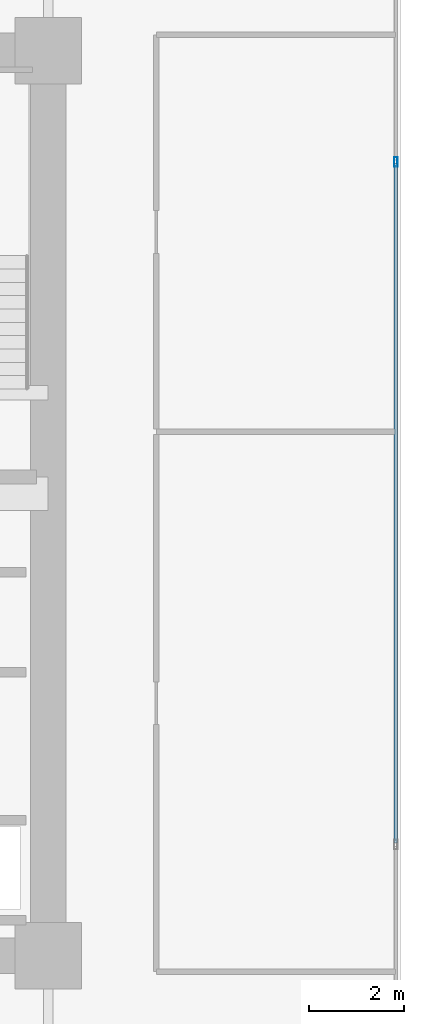
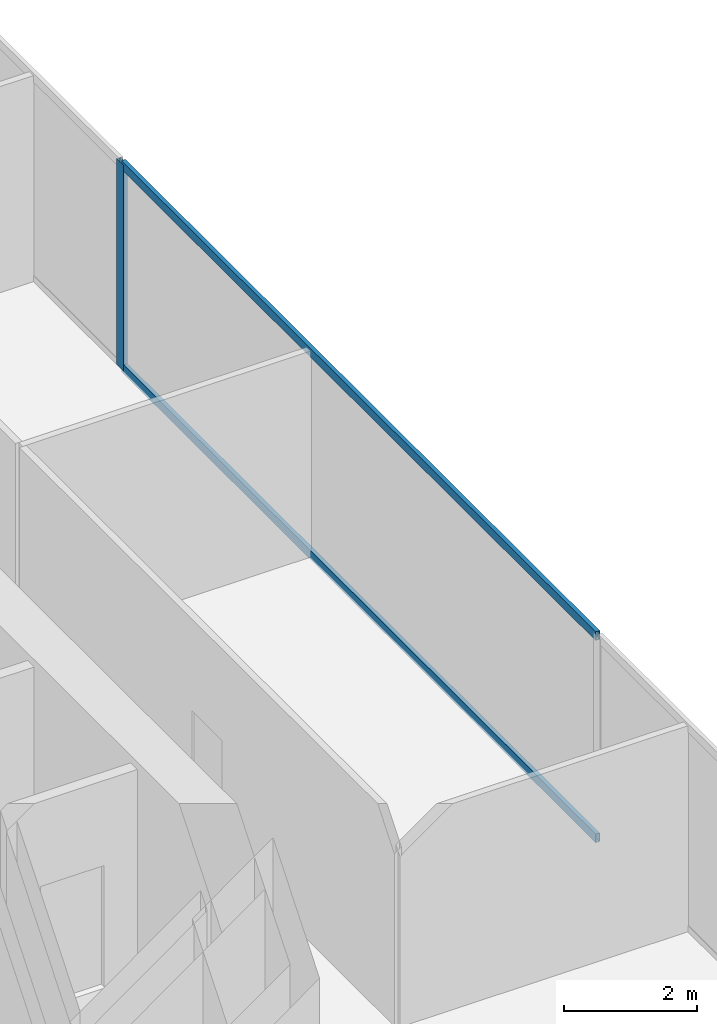
# One storey, part 25 of 36: 3 members, 1 element without a shape of its own.
"""IFC4 building model written with IfcOpenShell, lengths in metres."""

from ifc_helpers import new_model, si_unit, direction, frame, origin, origin_2d, place, context, subcontext, project, spatial, hollow_rectangle, extrude, source, transform, mapped, material, layer, layer_set, material_profile, profile_set, type_object, type_shapes, element, aggregate, save


model = new_model("IFC4")

# Units and contexts
model_context = context("Model", 3, precision=1e-05, world=origin(), true_north=direction((0.0, 1.0)))
body_context = subcontext(model_context, "Body", "Model", "MODEL_VIEW")
ifc_project = project(units=[si_unit("LENGTHUNIT", "METRE"), si_unit("AREAUNIT", "SQUARE_METRE"), si_unit("VOLUMEUNIT", "CUBIC_METRE"), si_unit("PLANEANGLEUNIT", "RADIAN"), si_unit("MASSUNIT", "GRAM", prefix="KILO")], contexts=[model_context])

# Site, building, storey
site_placement = place(None, origin())
site = spatial("IfcSite", under=ifc_project, at=site_placement, CompositionType="ELEMENT")
building_placement = place(site_placement, origin())
building = spatial("IfcBuilding", under=site, at=building_placement, Name="Haelvirn Gate Laboratories", CompositionType="ELEMENT")
storey_placement = place(building_placement, frame((0.0, 0.0, 29.300048828125)))
storey = spatial("IfcBuildingStorey", under=building, at=storey_placement, Name="L07", CompositionType="ELEMENT", Elevation=29.300048828125)

# Curtain wall, members
ifc_material_1 = material(Name="Anodised bronze unitised aluminium & triple low-E glass", Category="aluminium")
ifc_layer = layer(ifc_material_1, 0.18408203125, Name="CW-SYS-2")
ifc_layer_set = layer_set([ifc_layer], Name="Anodised bronze unitised aluminium & triple low-E glass")
curtain_wall_type = type_object("IfcCurtainWallType", Name="CW-SYS-2", PredefinedType="NOTDEFINED", material=ifc_layer_set)
curtain_wall_placement = place(storey_placement, origin())
curtain_wall = element("IfcCurtainWall", 1, at=curtain_wall_placement, inside=storey, type_object=curtain_wall_type, Name="L07 Unitised Curtain Wall CW-L07-P0-E07", PredefinedType="NOTDEFINED")
ifc_material_2 = material(Name="Extruded aluminium 6063-T6 (anodised bronze)", Category="aluminium")
ifc_material_profile_1 = material_profile(ifc_material_2, hollow_rectangle(XDim=0.074951171875, YDim=0.199951171875, WallThickness=0.0048828125, at=origin_2d()), Name="CWM-200x75x5")
ifc_profile_set_1 = profile_set([ifc_material_profile_1], Name="Extruded aluminium 6063-T6 (anodised bronze)")
member_type_1 = type_object("IfcMemberType", Name="CWM-T200", PredefinedType="MULLION", material=ifc_profile_set_1)
shared_shape_1 = source(origin(), body_context, "Body", "SweptSolid", [
    extrude(hollow_rectangle(XDim=0.074951171875, YDim=0.199951171875, WallThickness=0.0048828125, at=origin_2d()), origin(), (0.0, 0.0, 1.0), 3.780029296875),
])
type_shapes(member_type_1, [shared_shape_1])
member_1_placement = place(storey_placement, frame((74.699951171875, 31.466552734375, 0.0), z_axis=(0.0, 0.0, 1.0), x_axis=(-1.0, 0.0, 0.0)))
member_1 = element("IfcMember", 2, at=member_1_placement, type_object=member_type_1, Name="CW2 mullion 3", PredefinedType="MULLION", context=body_context, shape_type="MappedRepresentation", body=[
    mapped(shared_shape_1, transform((0.0, 0.0, 0.0), scale=1.0)),
])
ifc_material_profile_2 = material_profile(ifc_material_2, hollow_rectangle(XDim=0.070068359375, YDim=0.159912109375, WallThickness=0.0048828125, at=origin_2d()), Name="CWT-160x70x5")
ifc_profile_set_2 = profile_set([ifc_material_profile_2], Name="Extruded aluminium 6063-T6 (anodised bronze)")
member_type_2 = type_object("IfcMemberType", Name="CWT-T160", PredefinedType="USERDEFINED", material=ifc_profile_set_2)
shared_shape_2 = source(origin(), body_context, "Body", "SweptSolid", [
    extrude(hollow_rectangle(XDim=0.070068359375, YDim=0.159912109375, WallThickness=0.0048828125, at=origin_2d()), origin(), (0.0, 0.0, 1.0), 14.25830078125),
])
type_shapes(member_type_2, [shared_shape_2])
member_2_placement = place(storey_placement, frame((74.699951171875, 17.1708984375, 0.034912109375), z_axis=(0.0, 1.0, 0.0), x_axis=(-1.0, 0.0, 0.0)))
member_2 = element("IfcMember", 3, at=member_2_placement, type_object=member_type_2, Name="CW2 transom 2.1", ObjectType="TRANSOM", PredefinedType="USERDEFINED", context=body_context, shape_type="MappedRepresentation", body=[
    mapped(shared_shape_2, transform((0.0, 0.0, 0.0), scale=1.0)),
])
member_3_placement = place(storey_placement, frame((74.699951171875, 17.1708984375, 3.744873046875), z_axis=(0.0, 1.0, 0.0), x_axis=(-1.0, 0.0, 0.0)))
member_3 = element("IfcMember", 4, at=member_3_placement, type_object=member_type_2, Name="CW2 transom 2.2", ObjectType="TRANSOM", PredefinedType="USERDEFINED", context=body_context, shape_type="MappedRepresentation", body=[
    mapped(shared_shape_2, transform((0.0, 0.0, 0.0), scale=1.0)),
])
aggregate(curtain_wall, [member_1, member_2, member_3])

save(model, "model.ifc")
